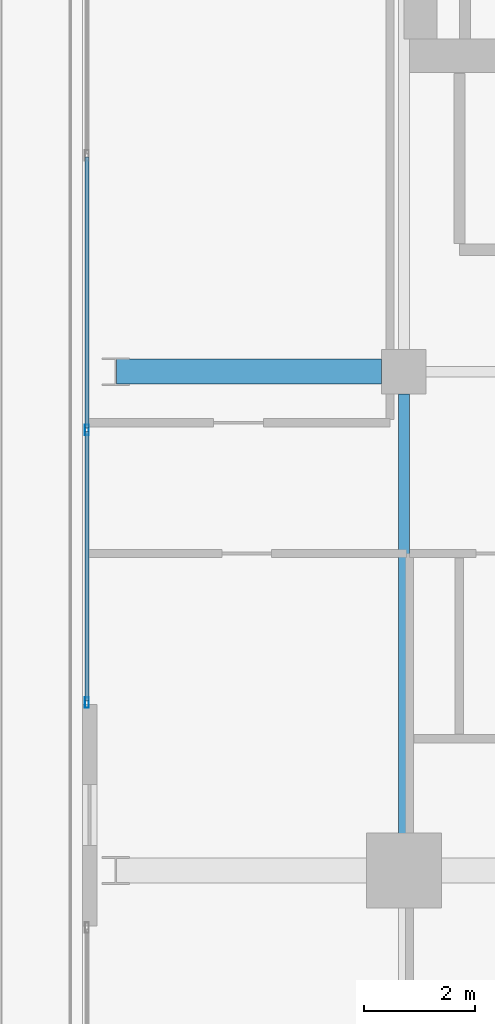
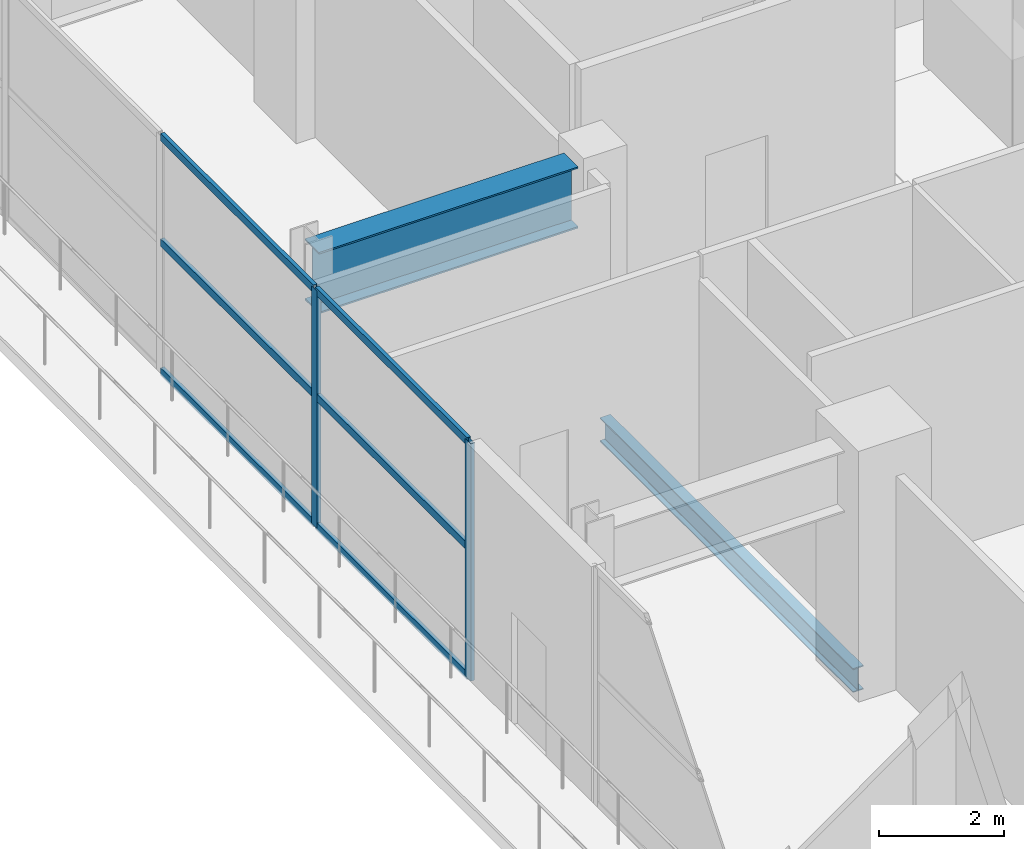
# One storey, part 7 of 22: 8 members, 2 beams, 1 element without a shape of its own.
"""IFC4 building model written with IfcOpenShell, lengths in metres."""

from ifc_helpers import new_model, si_unit, direction, frame, origin, origin_2d, place, context, subcontext, project, spatial, hollow_rectangle, i_section, extrude, material, layer, layer_set, material_profile, profile_set, type_object, element, aggregate, save


model = new_model("IFC4")

# Units and contexts
model_context = context("Model", 3, precision=1e-05, world=origin(), true_north=direction((0.0, 1.0)))
body_context = subcontext(model_context, "Body", "Model", "MODEL_VIEW")
ifc_project = project(units=[si_unit("LENGTHUNIT", "METRE"), si_unit("AREAUNIT", "SQUARE_METRE"), si_unit("VOLUMEUNIT", "CUBIC_METRE"), si_unit("PLANEANGLEUNIT", "RADIAN"), si_unit("MASSUNIT", "GRAM", prefix="KILO")], contexts=[model_context])

# Site, building, storey
site_placement = place(None, origin())
site = spatial("IfcSite", under=ifc_project, at=site_placement, CompositionType="ELEMENT")
building_placement = place(site_placement, origin())
building = spatial("IfcBuilding", under=site, at=building_placement, Name="Maruvema Waterfront Hotel and Observation Tower", CompositionType="ELEMENT")
storey_placement = place(building_placement, frame((0.0, 0.0, 354.199951171875)))
storey = spatial("IfcBuildingStorey", under=building, at=storey_placement, Name="L87", CompositionType="ELEMENT", Elevation=354.199951171875)

# Curtain wall, members
ifc_material_1 = material(Name="Anodised bronze aluminium and solar-control low-E IGU", Category="aluminium")
ifc_layer = layer(ifc_material_1, 0.159912109375, Name="Observation Crown Structural Glazed Curtain Wall System CW-06")
ifc_layer_set = layer_set([ifc_layer], Name="Anodised bronze aluminium and solar-control low-E IGU")
curtain_wall_type = type_object("IfcCurtainWallType", Name="Observation Crown Structural Glazed Curtain Wall System CW-06", PredefinedType="USERDEFINED", material=ifc_layer_set)
curtain_wall_placement = place(storey_placement, origin())
curtain_wall = element("IfcCurtainWall", 1, at=curtain_wall_placement, inside=storey, type_object=curtain_wall_type, Name="L87 Curtain Wall CW-L87-WN", ObjectType="UNITISED CURTAIN WALL", PredefinedType="USERDEFINED")
ifc_material_2 = material(Name="Anodised architectural bronze aluminium", Category="aluminium")
ifc_material_profile_1 = material_profile(ifc_material_2, hollow_rectangle(XDim=0.070068359375, YDim=0.14990234375, WallThickness=0.00390625, at=origin_2d()), Name="ALU-T70x150")
ifc_profile_set_1 = profile_set([ifc_material_profile_1], Name="Anodised architectural bronze aluminium")
member_type_1 = type_object("IfcMemberType", Name="Curtain Wall Horizontal Transom ALU-T70x150", PredefinedType="USERDEFINED", material=ifc_profile_set_1)
member_1_placement = place(storey_placement, frame((19.47998046875, 39.8701171875, 0.030029296875), z_axis=(0.0, -1.0, 0.0), x_axis=(1.0, 0.0, 0.0)))
member_1 = element("IfcMember", 2, at=member_1_placement, type_object=member_type_1, Name="CW-06 transom 3.1", ObjectType="TRANSOM", PredefinedType="USERDEFINED", context=body_context, shape_type="SweptSolid", body=[
    extrude(hollow_rectangle(XDim=0.070068359375, YDim=0.14990234375, WallThickness=0.00390625, at=origin_2d()), origin(), (0.0, 0.0, 1.0), 4.89013671875),
])
member_2_placement = place(storey_placement, frame((19.47998046875, 39.8701171875, 2.550048828125), z_axis=(0.0, -1.0, 0.0), x_axis=(1.0, 0.0, 0.0)))
member_2 = element("IfcMember", 3, at=member_2_placement, type_object=member_type_1, Name="CW-06 transom 3.2", ObjectType="TRANSOM", PredefinedType="USERDEFINED", context=body_context, shape_type="SweptSolid", body=[
    extrude(hollow_rectangle(XDim=0.070068359375, YDim=0.14990234375, WallThickness=0.00390625, at=origin_2d()), origin(), (0.0, 0.0, 1.0), 4.89013671875),
])
member_3_placement = place(storey_placement, frame((19.47998046875, 39.8701171875, 4.610107421875), z_axis=(0.0, -1.0, 0.0), x_axis=(1.0, 0.0, 0.0)))
member_3 = element("IfcMember", 4, at=member_3_placement, type_object=member_type_1, Name="CW-06 transom 3.3", ObjectType="TRANSOM", PredefinedType="USERDEFINED", context=body_context, shape_type="SweptSolid", body=[
    extrude(hollow_rectangle(XDim=0.070068359375, YDim=0.14990234375, WallThickness=0.00390625, at=origin_2d()), origin(), (0.0, 0.0, 1.0), 4.89013671875),
])
member_4_placement = place(storey_placement, frame((19.47998046875, 34.919921875, 0.030029296875), z_axis=(0.0, -1.0, 0.0), x_axis=(1.0, 0.0, 0.0)))
member_4 = element("IfcMember", 5, at=member_4_placement, type_object=member_type_1, Name="CW-06 transom 4.1", ObjectType="TRANSOM", PredefinedType="USERDEFINED", context=body_context, shape_type="SweptSolid", body=[
    extrude(hollow_rectangle(XDim=0.070068359375, YDim=0.14990234375, WallThickness=0.00390625, at=origin_2d()), origin(), (0.0, 0.0, 1.0), 4.85986328125),
])
member_5_placement = place(storey_placement, frame((19.47998046875, 34.919921875, 2.550048828125), z_axis=(0.0, -1.0, 0.0), x_axis=(1.0, 0.0, 0.0)))
member_5 = element("IfcMember", 6, at=member_5_placement, type_object=member_type_1, Name="CW-06 transom 4.2", ObjectType="TRANSOM", PredefinedType="USERDEFINED", context=body_context, shape_type="SweptSolid", body=[
    extrude(hollow_rectangle(XDim=0.070068359375, YDim=0.14990234375, WallThickness=0.00390625, at=origin_2d()), origin(), (0.0, 0.0, 1.0), 4.85986328125),
])
member_6_placement = place(storey_placement, frame((19.47998046875, 34.919921875, 4.610107421875), z_axis=(0.0, -1.0, 0.0), x_axis=(1.0, 0.0, 0.0)))
member_6 = element("IfcMember", 7, at=member_6_placement, type_object=member_type_1, Name="CW-06 transom 4.3", ObjectType="TRANSOM", PredefinedType="USERDEFINED", context=body_context, shape_type="SweptSolid", body=[
    extrude(hollow_rectangle(XDim=0.070068359375, YDim=0.14990234375, WallThickness=0.00390625, at=origin_2d()), origin(), (0.0, 0.0, 1.0), 4.85986328125),
])
ifc_material_3 = material(Name="Anodised architectural bronze aluminium", Category="aluminium")
ifc_material_profile_2 = material_profile(ifc_material_3, hollow_rectangle(XDim=0.070068359375, YDim=0.18994140625, WallThickness=0.00390625, at=origin_2d()), Name="ALU-M70x190")
ifc_profile_set_2 = profile_set([ifc_material_profile_2], Name="Anodised architectural bronze aluminium")
member_type_2 = type_object("IfcMemberType", Name="Podium Storefront Heavy Mullion ALU-M70x190", PredefinedType="MULLION", material=ifc_profile_set_2)
member_7_placement = place(storey_placement, frame((19.47998046875, 34.949951171875, 0.0), z_axis=(0.0, 0.0, 1.0), x_axis=(1.0, 0.0, 0.0)))
member_7 = element("IfcMember", 8, at=member_7_placement, type_object=member_type_2, Name="CW-06 mullion 4", PredefinedType="MULLION", context=body_context, shape_type="SweptSolid", body=[
    extrude(hollow_rectangle(XDim=0.070068359375, YDim=0.18994140625, WallThickness=0.00390625, at=origin_2d()), origin(), (0.0, 0.0, 1.0), 4.64013671875),
])
member_8_placement = place(storey_placement, frame((19.47998046875, 30.030029296875, 0.0), z_axis=(0.0, 0.0, 1.0), x_axis=(1.0, 0.0, 0.0)))
member_8 = element("IfcMember", 9, at=member_8_placement, type_object=member_type_2, Name="CW-06 mullion 5", PredefinedType="MULLION", context=body_context, shape_type="SweptSolid", body=[
    extrude(hollow_rectangle(XDim=0.070068359375, YDim=0.18994140625, WallThickness=0.00390625, at=origin_2d()), origin(), (0.0, 0.0, 1.0), 4.64013671875),
])
aggregate(curtain_wall, [member_7, member_8, member_1, member_2, member_3, member_4, member_5, member_6])

# Beams
ifc_material_4 = material(Name="Steel ASTM A572 Grade 50", Category="steel")
ifc_material_profile_3 = material_profile(ifc_material_4, i_section(OverallWidth=0.194091796875, OverallDepth=0.468994140625, WebThickness=0.0126953125, FlangeThickness=0.0205078125, FilletRadius=0.014892578125, at=origin_2d()), Name="W460x106.0")
ifc_profile_set_3 = profile_set([ifc_material_profile_3], Name="Steel ASTM A572 Grade 50")
beam_type_1 = type_object("IfcBeamType", Name="Primary Floor Girder W460x106.0", PredefinedType="BEAM", material=ifc_profile_set_3)
beam_1_placement = place(storey_placement, frame((25.199951171875, 27.5, -0.494384765625), z_axis=(0.0, 1.0, 0.0), x_axis=(-1.0, 0.0, 0.0)))
element("IfcBeam", 10, at=beam_1_placement, inside=storey, type_object=beam_type_1, Name="L87 Floor Girder NS-02", PredefinedType="BEAM", context=body_context, shape_type="SweptSolid", body=[
    extrude(i_section(OverallWidth=0.194091796875, OverallDepth=0.468994140625, WebThickness=0.0126953125, FlangeThickness=0.0205078125, FilletRadius=0.014892578125, at=origin_2d()), origin(), (0.0, 0.0, 1.0), 8.10009765625),
])
ifc_material_5 = material(Name="Steel ABNT NBR 7007 AR 415 (ASTM A572 Grade 50)", Category="steel")
ifc_material_profile_4 = material_profile(ifc_material_5, i_section(OverallWidth=0.449951171875, OverallDepth=1.199951171875, WebThickness=0.01904296875, FlangeThickness=0.031982421875, at=origin_2d()), Name="VS1200x366")
ifc_profile_set_4 = profile_set([ifc_material_profile_4], Name="Steel ABNT NBR 7007 AR 415 (ASTM A572 Grade 50)")
beam_type_2 = type_object("IfcBeamType", Name="Upper Setback Transfer Girder VS1200x366", PredefinedType="USERDEFINED", material=ifc_profile_set_4)
beam_2_placement = place(storey_placement, frame((20.010986328125, 36.0, 4.0400390625), z_axis=(1.0, 0.0, 0.0), x_axis=(0.0, 1.0, 0.0)))
element("IfcBeam", 11, at=beam_2_placement, inside=storey, type_object=beam_type_2, Name="L87 Upper Setback Transfer Girder W Y=36.0m", ObjectType="TRANSFER GIRDER", PredefinedType="USERDEFINED", context=body_context, shape_type="SweptSolid", body=[
    extrude(i_section(OverallWidth=0.449951171875, OverallDepth=1.199951171875, WebThickness=0.01904296875, FlangeThickness=0.031982421875, at=origin_2d()), origin(), (0.0, 0.0, 1.0), 4.7890625),
])

save(model, "model.ifc")
